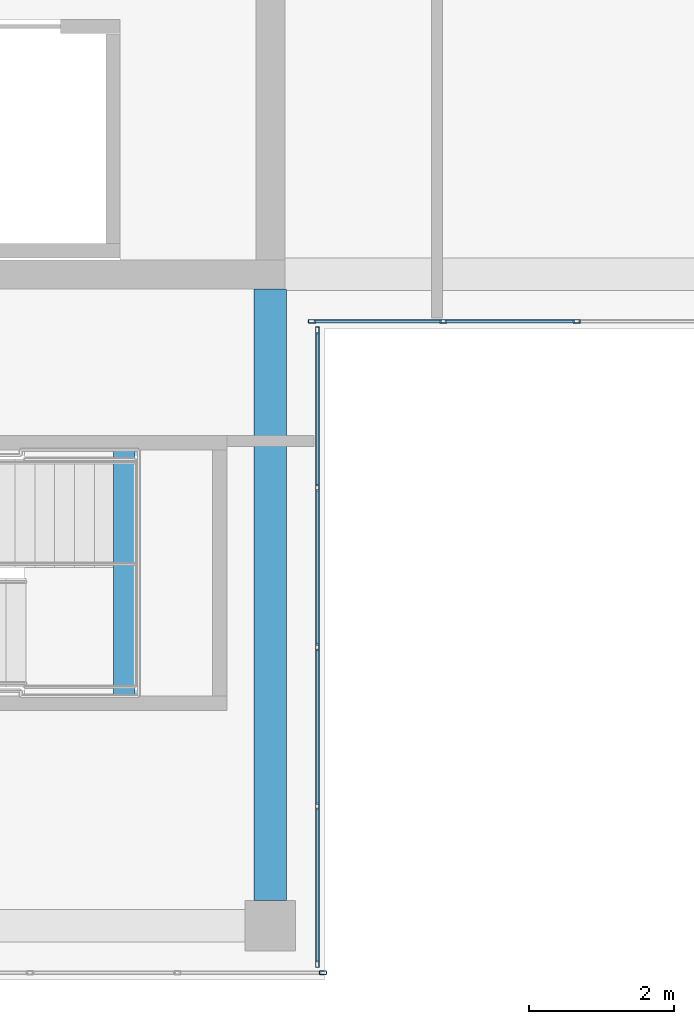
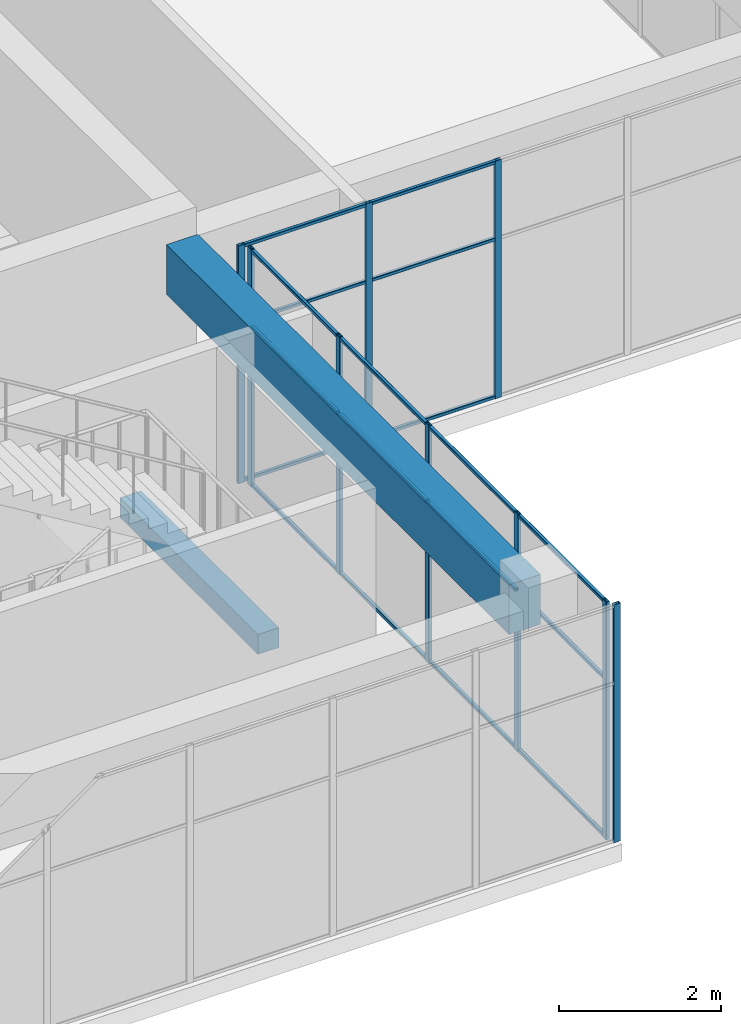
# One storey, part 12 of 32: 27 members, 2 beams, 3 elements without a shape of their own.
"""IFC4 building model written with IfcOpenShell, lengths in metres."""

from ifc_helpers import new_model, si_unit, direction, frame, origin, origin_2d, place, context, subcontext, project, spatial, rectangle, hollow_rectangle, extrude, material, layer, layer_set, material_profile, profile_set, type_object, element, aggregate, save


model = new_model("IFC4")

# Units and contexts
model_context = context("Model", 3, precision=1e-05, world=origin(), true_north=direction((0.0, 1.0)))
body_context = subcontext(model_context, "Body", "Model", "MODEL_VIEW")
ifc_project = project(units=[si_unit("LENGTHUNIT", "METRE"), si_unit("AREAUNIT", "SQUARE_METRE"), si_unit("VOLUMEUNIT", "CUBIC_METRE"), si_unit("PLANEANGLEUNIT", "RADIAN"), si_unit("MASSUNIT", "GRAM", prefix="KILO")], contexts=[model_context])

# Site, building, storey
site_placement = place(None, origin())
site = spatial("IfcSite", under=ifc_project, at=site_placement, CompositionType="ELEMENT")
building_placement = place(site_placement, origin())
building = spatial("IfcBuilding", under=site, at=building_placement, Name="Tuart Plaza Theatre", CompositionType="ELEMENT")
storey_placement = place(building_placement, frame((0.0, 0.0, 37.5)))
storey = spatial("IfcBuildingStorey", under=building, at=storey_placement, Name="L09", CompositionType="ELEMENT", Elevation=37.5)

# Beams
ifc_material_1 = material(Name="Concrete N40 (40 MPa)", Category="concrete")
ifc_material_profile_1 = material_profile(ifc_material_1, rectangle(XDim=0.300048828125, YDim=0.300048828125, at=origin_2d()), Name="BEAM 300x300 Concrete N40 (40 MPa)")
ifc_profile_set_1 = profile_set([ifc_material_profile_1], Name="Concrete N40 (40 MPa)")
beam_type_1 = type_object("IfcBeamType", Name="BEAM 300x300 Concrete N40 (40 MPa)", PredefinedType="BEAM", material=ifc_profile_set_1)
beam_1_placement = place(storey_placement, frame((138.97998046875, 59.175048828125, 1.64990234375), z_axis=(0.0, 1.0, 0.0), x_axis=(-1.0, 0.0, 0.0)))
element("IfcBeam", 1, at=beam_1_placement, inside=storey, type_object=beam_type_1, Name="RB505", PredefinedType="BEAM", context=body_context, shape_type="SweptSolid", body=[
    extrude(rectangle(XDim=0.300048828125, YDim=0.300048828125, at=origin_2d()), origin(), (0.0, 0.0, 1.0), 3.39990234375),
])
ifc_material_2 = material(Name="Concrete N40 (40 MPa)", Category="concrete")
ifc_material_profile_2 = material_profile(ifc_material_2, rectangle(XDim=0.449951171875, YDim=0.75, at=origin_2d()), Name="BEAM 450x750 Concrete N40 (40 MPa)")
ifc_profile_set_2 = profile_set([ifc_material_profile_2], Name="Concrete N40 (40 MPa)")
beam_type_2 = type_object("IfcBeamType", Name="BEAM 450x750 Concrete N40 (40 MPa)", PredefinedType="BEAM", material=ifc_profile_set_2)
beam_2_placement = place(storey_placement, frame((141.0, 56.35009765625, 3.205078125), z_axis=(0.0, 1.0, 0.0), x_axis=(-1.0, 0.0, 0.0)))
element("IfcBeam", 2, at=beam_2_placement, inside=storey, type_object=beam_type_2, Name="RB272", PredefinedType="BEAM", context=body_context, shape_type="SweptSolid", body=[
    extrude(rectangle(XDim=0.449951171875, YDim=0.75, at=origin_2d()), origin(), (0.0, 0.0, 1.0), 8.449951171875),
])

# Curtain wall, member
ifc_material_3 = material(Name="Aluminium and glass", Category="aluminium")
ifc_layer = layer(ifc_material_3, 0.10009765625)
ifc_layer_set = layer_set([ifc_layer], Name="CURTAIN WALL 2000 module")
curtain_wall_type = type_object("IfcCurtainWallType", Name="CURTAIN WALL 2000 module", PredefinedType="NOTDEFINED", material=ifc_layer_set)
curtain_wall_1_placement = place(storey_placement, origin())
curtain_wall_1 = element("IfcCurtainWall", 3, at=curtain_wall_1_placement, inside=storey, type_object=curtain_wall_type, Name="CW88", PredefinedType="NOTDEFINED")
ifc_material_4 = material(Name="Aluminium 6063-T5", Category="aluminium")
ifc_material_profile_3 = material_profile(ifc_material_4, hollow_rectangle(XDim=0.050048828125, YDim=0.10009765625, WallThickness=0.00390625, InnerFilletRadius=0.00390625, OuterFilletRadius=0.008056640625, at=origin_2d()), Name="RHS 100x50x4")
ifc_profile_set_3 = profile_set([ifc_material_profile_3], Name="Aluminium 6063-T5")
member_type_1 = type_object("IfcMemberType", Name="MULLION RHS 100x50x4", PredefinedType="MULLION", material=ifc_profile_set_3)
member_1_placement = place(storey_placement, frame((141.72509765625, 55.35009765625, 0.0), z_axis=(0.0, 0.0, 1.0), x_axis=(0.0, 1.0, 0.0)))
member_1 = element("IfcMember", 4, at=member_1_placement, type_object=member_type_1, Name="CW88 mullion 15", PredefinedType="MULLION", context=body_context, shape_type="SweptSolid", body=[
    extrude(hollow_rectangle(XDim=0.050048828125, YDim=0.10009765625, WallThickness=0.00390625, InnerFilletRadius=0.00390625, OuterFilletRadius=0.008056640625, at=origin_2d()), origin(), (0.0, 0.0, 1.0), 3.580078125),
])
aggregate(curtain_wall_1, [member_1])

# Curtain wall, members
curtain_wall_2_placement = place(storey_placement, origin())
curtain_wall_2 = element("IfcCurtainWall", 5, at=curtain_wall_2_placement, inside=storey, type_object=curtain_wall_type, Name="CW90", PredefinedType="NOTDEFINED")
member_2_placement = place(storey_placement, frame((141.64990234375, 55.47509765625, 0.0), z_axis=(0.0, 0.0, 1.0), x_axis=(-1.0, 0.0, 0.0)))
member_2 = element("IfcMember", 6, at=member_2_placement, type_object=member_type_1, Name="CW90 mullion 1", PredefinedType="MULLION", context=body_context, shape_type="SweptSolid", body=[
    extrude(hollow_rectangle(XDim=0.050048828125, YDim=0.10009765625, WallThickness=0.00390625, InnerFilletRadius=0.00390625, OuterFilletRadius=0.008056640625, at=origin_2d()), origin(), (0.0, 0.0, 1.0), 3.580078125),
])
member_3_placement = place(storey_placement, frame((141.64990234375, 57.64990234375, 0.0), z_axis=(0.0, 0.0, 1.0), x_axis=(-1.0, 0.0, 0.0)))
member_3 = element("IfcMember", 7, at=member_3_placement, type_object=member_type_1, Name="CW90 mullion 2", PredefinedType="MULLION", context=body_context, shape_type="SweptSolid", body=[
    extrude(hollow_rectangle(XDim=0.050048828125, YDim=0.10009765625, WallThickness=0.00390625, InnerFilletRadius=0.00390625, OuterFilletRadius=0.008056640625, at=origin_2d()), origin(), (0.0, 0.0, 1.0), 3.580078125),
])
member_4_placement = place(storey_placement, frame((141.64990234375, 59.85009765625, 0.0), z_axis=(0.0, 0.0, 1.0), x_axis=(-1.0, 0.0, 0.0)))
member_4 = element("IfcMember", 8, at=member_4_placement, type_object=member_type_1, Name="CW90 mullion 3", PredefinedType="MULLION", context=body_context, shape_type="SweptSolid", body=[
    extrude(hollow_rectangle(XDim=0.050048828125, YDim=0.10009765625, WallThickness=0.00390625, InnerFilletRadius=0.00390625, OuterFilletRadius=0.008056640625, at=origin_2d()), origin(), (0.0, 0.0, 1.0), 3.580078125),
])
member_5_placement = place(storey_placement, frame((141.64990234375, 62.050048828125, 0.0), z_axis=(0.0, 0.0, 1.0), x_axis=(-1.0, 0.0, 0.0)))
member_5 = element("IfcMember", 9, at=member_5_placement, type_object=member_type_1, Name="CW90 mullion 4", PredefinedType="MULLION", context=body_context, shape_type="SweptSolid", body=[
    extrude(hollow_rectangle(XDim=0.050048828125, YDim=0.10009765625, WallThickness=0.00390625, InnerFilletRadius=0.00390625, OuterFilletRadius=0.008056640625, at=origin_2d()), origin(), (0.0, 0.0, 1.0), 3.580078125),
])
member_6_placement = place(storey_placement, frame((141.64990234375, 64.22509765625, 0.0), z_axis=(0.0, 0.0, 1.0), x_axis=(-1.0, 0.0, 0.0)))
member_6 = element("IfcMember", 10, at=member_6_placement, type_object=member_type_1, Name="CW90 mullion 5", PredefinedType="MULLION", context=body_context, shape_type="SweptSolid", body=[
    extrude(hollow_rectangle(XDim=0.050048828125, YDim=0.10009765625, WallThickness=0.00390625, InnerFilletRadius=0.00390625, OuterFilletRadius=0.008056640625, at=origin_2d()), origin(), (0.0, 0.0, 1.0), 3.580078125),
])

curtain_wall_3_placement = place(storey_placement, origin())
curtain_wall_3 = element("IfcCurtainWall", 11, at=curtain_wall_3_placement, inside=storey, type_object=curtain_wall_type, Name="CW91", PredefinedType="NOTDEFINED")
member_7_placement = place(storey_placement, frame((141.574951171875, 64.35009765625, 0.0), z_axis=(0.0, 0.0, 1.0), x_axis=(0.0, 1.0, 0.0)))
member_7 = element("IfcMember", 12, at=member_7_placement, type_object=member_type_1, Name="CW91 mullion 1", PredefinedType="MULLION", context=body_context, shape_type="SweptSolid", body=[
    extrude(hollow_rectangle(XDim=0.050048828125, YDim=0.10009765625, WallThickness=0.00390625, InnerFilletRadius=0.00390625, OuterFilletRadius=0.008056640625, at=origin_2d()), origin(), (0.0, 0.0, 1.0), 3.580078125),
])
member_8_placement = place(storey_placement, frame((143.389892578125, 64.35009765625, 0.0), z_axis=(0.0, 0.0, 1.0), x_axis=(0.0, 1.0, 0.0)))
member_8 = element("IfcMember", 13, at=member_8_placement, type_object=member_type_1, Name="CW91 mullion 2", PredefinedType="MULLION", context=body_context, shape_type="SweptSolid", body=[
    extrude(hollow_rectangle(XDim=0.050048828125, YDim=0.10009765625, WallThickness=0.00390625, InnerFilletRadius=0.00390625, OuterFilletRadius=0.008056640625, at=origin_2d()), origin(), (0.0, 0.0, 1.0), 3.580078125),
])
member_9_placement = place(storey_placement, frame((145.22998046875, 64.35009765625, 0.0), z_axis=(0.0, 0.0, 1.0), x_axis=(0.0, 1.0, 0.0)))
member_9 = element("IfcMember", 14, at=member_9_placement, type_object=member_type_1, Name="CW91 mullion 3", PredefinedType="MULLION", context=body_context, shape_type="SweptSolid", body=[
    extrude(hollow_rectangle(XDim=0.050048828125, YDim=0.10009765625, WallThickness=0.00390625, InnerFilletRadius=0.00390625, OuterFilletRadius=0.008056640625, at=origin_2d()), origin(), (0.0, 0.0, 1.0), 3.580078125),
])

# Member
ifc_material_5 = material(Name="Aluminium 6063-T5", Category="aluminium")
ifc_material_profile_4 = material_profile(ifc_material_5, hollow_rectangle(XDim=0.050048828125, YDim=0.050048828125, WallThickness=0.00390625, InnerFilletRadius=0.00390625, OuterFilletRadius=0.008056640625, at=origin_2d()), Name="RHS 50x50x4")
ifc_profile_set_4 = profile_set([ifc_material_profile_4], Name="Aluminium 6063-T5")
member_type_2 = type_object("IfcMemberType", Name="TRANSOM RHS 50x50x4", PredefinedType="USERDEFINED", material=ifc_profile_set_4)
member_10_placement = place(storey_placement, frame((141.64990234375, 55.5, 0.02490234375), z_axis=(0.0, 1.0, 0.0), x_axis=(-1.0, 0.0, 0.0)))
member_10 = element("IfcMember", 15, at=member_10_placement, type_object=member_type_2, Name="CW90 transom 1.1", ObjectType="TRANSOM", PredefinedType="USERDEFINED", context=body_context, shape_type="SweptSolid", body=[
    extrude(hollow_rectangle(XDim=0.050048828125, YDim=0.050048828125, WallThickness=0.00390625, InnerFilletRadius=0.00390625, OuterFilletRadius=0.008056640625, at=origin_2d()), origin(), (0.0, 0.0, 1.0), 2.125),
])

member_11_placement = place(storey_placement, frame((141.64990234375, 55.5, 2.39990234375), z_axis=(0.0, 1.0, 0.0), x_axis=(-1.0, 0.0, 0.0)))
member_11 = element("IfcMember", 16, at=member_11_placement, type_object=member_type_2, Name="CW90 transom 1.2", ObjectType="TRANSOM", PredefinedType="USERDEFINED", context=body_context, shape_type="SweptSolid", body=[
    extrude(hollow_rectangle(XDim=0.050048828125, YDim=0.050048828125, WallThickness=0.00390625, InnerFilletRadius=0.00390625, OuterFilletRadius=0.008056640625, at=origin_2d()), origin(), (0.0, 0.0, 1.0), 2.125),
])

member_12_placement = place(storey_placement, frame((141.64990234375, 55.5, 3.554931640625), z_axis=(0.0, 1.0, 0.0), x_axis=(-1.0, 0.0, 0.0)))
member_12 = element("IfcMember", 17, at=member_12_placement, type_object=member_type_2, Name="CW90 transom 1.3", ObjectType="TRANSOM", PredefinedType="USERDEFINED", context=body_context, shape_type="SweptSolid", body=[
    extrude(hollow_rectangle(XDim=0.050048828125, YDim=0.050048828125, WallThickness=0.00390625, InnerFilletRadius=0.00390625, OuterFilletRadius=0.008056640625, at=origin_2d()), origin(), (0.0, 0.0, 1.0), 2.125),
])

member_13_placement = place(storey_placement, frame((141.64990234375, 57.675048828125, 0.02490234375), z_axis=(0.0, 1.0, 0.0), x_axis=(-1.0, 0.0, 0.0)))
member_13 = element("IfcMember", 18, at=member_13_placement, type_object=member_type_2, Name="CW90 transom 2.1", ObjectType="TRANSOM", PredefinedType="USERDEFINED", context=body_context, shape_type="SweptSolid", body=[
    extrude(hollow_rectangle(XDim=0.050048828125, YDim=0.050048828125, WallThickness=0.00390625, InnerFilletRadius=0.00390625, OuterFilletRadius=0.008056640625, at=origin_2d()), origin(), (0.0, 0.0, 1.0), 2.14990234375),
])

member_14_placement = place(storey_placement, frame((141.64990234375, 57.675048828125, 2.39990234375), z_axis=(0.0, 1.0, 0.0), x_axis=(-1.0, 0.0, 0.0)))
member_14 = element("IfcMember", 19, at=member_14_placement, type_object=member_type_2, Name="CW90 transom 2.2", ObjectType="TRANSOM", PredefinedType="USERDEFINED", context=body_context, shape_type="SweptSolid", body=[
    extrude(hollow_rectangle(XDim=0.050048828125, YDim=0.050048828125, WallThickness=0.00390625, InnerFilletRadius=0.00390625, OuterFilletRadius=0.008056640625, at=origin_2d()), origin(), (0.0, 0.0, 1.0), 2.14990234375),
])

member_15_placement = place(storey_placement, frame((141.64990234375, 57.675048828125, 3.554931640625), z_axis=(0.0, 1.0, 0.0), x_axis=(-1.0, 0.0, 0.0)))
member_15 = element("IfcMember", 20, at=member_15_placement, type_object=member_type_2, Name="CW90 transom 2.3", ObjectType="TRANSOM", PredefinedType="USERDEFINED", context=body_context, shape_type="SweptSolid", body=[
    extrude(hollow_rectangle(XDim=0.050048828125, YDim=0.050048828125, WallThickness=0.00390625, InnerFilletRadius=0.00390625, OuterFilletRadius=0.008056640625, at=origin_2d()), origin(), (0.0, 0.0, 1.0), 2.14990234375),
])

member_16_placement = place(storey_placement, frame((141.64990234375, 59.875, 0.02490234375), z_axis=(0.0, 1.0, 0.0), x_axis=(-1.0, 0.0, 0.0)))
member_16 = element("IfcMember", 21, at=member_16_placement, type_object=member_type_2, Name="CW90 transom 3.1", ObjectType="TRANSOM", PredefinedType="USERDEFINED", context=body_context, shape_type="SweptSolid", body=[
    extrude(hollow_rectangle(XDim=0.050048828125, YDim=0.050048828125, WallThickness=0.00390625, InnerFilletRadius=0.00390625, OuterFilletRadius=0.008056640625, at=origin_2d()), origin(), (0.0, 0.0, 1.0), 2.14990234375),
])

member_17_placement = place(storey_placement, frame((141.64990234375, 59.875, 2.39990234375), z_axis=(0.0, 1.0, 0.0), x_axis=(-1.0, 0.0, 0.0)))
member_17 = element("IfcMember", 22, at=member_17_placement, type_object=member_type_2, Name="CW90 transom 3.2", ObjectType="TRANSOM", PredefinedType="USERDEFINED", context=body_context, shape_type="SweptSolid", body=[
    extrude(hollow_rectangle(XDim=0.050048828125, YDim=0.050048828125, WallThickness=0.00390625, InnerFilletRadius=0.00390625, OuterFilletRadius=0.008056640625, at=origin_2d()), origin(), (0.0, 0.0, 1.0), 2.14990234375),
])

member_18_placement = place(storey_placement, frame((141.64990234375, 59.875, 3.554931640625), z_axis=(0.0, 1.0, 0.0), x_axis=(-1.0, 0.0, 0.0)))
member_18 = element("IfcMember", 23, at=member_18_placement, type_object=member_type_2, Name="CW90 transom 3.3", ObjectType="TRANSOM", PredefinedType="USERDEFINED", context=body_context, shape_type="SweptSolid", body=[
    extrude(hollow_rectangle(XDim=0.050048828125, YDim=0.050048828125, WallThickness=0.00390625, InnerFilletRadius=0.00390625, OuterFilletRadius=0.008056640625, at=origin_2d()), origin(), (0.0, 0.0, 1.0), 2.14990234375),
])

member_19_placement = place(storey_placement, frame((141.64990234375, 62.074951171875, 0.02490234375), z_axis=(0.0, 1.0, 0.0), x_axis=(-1.0, 0.0, 0.0)))
member_19 = element("IfcMember", 24, at=member_19_placement, type_object=member_type_2, Name="CW90 transom 4.1", ObjectType="TRANSOM", PredefinedType="USERDEFINED", context=body_context, shape_type="SweptSolid", body=[
    extrude(hollow_rectangle(XDim=0.050048828125, YDim=0.050048828125, WallThickness=0.00390625, InnerFilletRadius=0.00390625, OuterFilletRadius=0.008056640625, at=origin_2d()), origin(), (0.0, 0.0, 1.0), 2.125),
])

member_20_placement = place(storey_placement, frame((141.64990234375, 62.074951171875, 2.39990234375), z_axis=(0.0, 1.0, 0.0), x_axis=(-1.0, 0.0, 0.0)))
member_20 = element("IfcMember", 25, at=member_20_placement, type_object=member_type_2, Name="CW90 transom 4.2", ObjectType="TRANSOM", PredefinedType="USERDEFINED", context=body_context, shape_type="SweptSolid", body=[
    extrude(hollow_rectangle(XDim=0.050048828125, YDim=0.050048828125, WallThickness=0.00390625, InnerFilletRadius=0.00390625, OuterFilletRadius=0.008056640625, at=origin_2d()), origin(), (0.0, 0.0, 1.0), 2.125),
])

member_21_placement = place(storey_placement, frame((141.64990234375, 62.074951171875, 3.554931640625), z_axis=(0.0, 1.0, 0.0), x_axis=(-1.0, 0.0, 0.0)))
member_21 = element("IfcMember", 26, at=member_21_placement, type_object=member_type_2, Name="CW90 transom 4.3", ObjectType="TRANSOM", PredefinedType="USERDEFINED", context=body_context, shape_type="SweptSolid", body=[
    extrude(hollow_rectangle(XDim=0.050048828125, YDim=0.050048828125, WallThickness=0.00390625, InnerFilletRadius=0.00390625, OuterFilletRadius=0.008056640625, at=origin_2d()), origin(), (0.0, 0.0, 1.0), 2.125),
])

aggregate(curtain_wall_2, [member_2, member_3, member_4, member_5, member_6, member_10, member_11, member_12, member_13, member_14, member_15, member_16, member_17, member_18, member_19, member_20, member_21])

member_22_placement = place(storey_placement, frame((141.60009765625, 64.35009765625, 0.02490234375), z_axis=(1.0, 0.0, 0.0), x_axis=(0.0, 1.0, 0.0)))
member_22 = element("IfcMember", 27, at=member_22_placement, type_object=member_type_2, Name="CW91 transom 1.1", ObjectType="TRANSOM", PredefinedType="USERDEFINED", context=body_context, shape_type="SweptSolid", body=[
    extrude(hollow_rectangle(XDim=0.050048828125, YDim=0.050048828125, WallThickness=0.00390625, InnerFilletRadius=0.00390625, OuterFilletRadius=0.008056640625, at=origin_2d()), origin(), (0.0, 0.0, 1.0), 1.764892578125),
])

member_23_placement = place(storey_placement, frame((141.60009765625, 64.35009765625, 2.39990234375), z_axis=(1.0, 0.0, 0.0), x_axis=(0.0, 1.0, 0.0)))
member_23 = element("IfcMember", 28, at=member_23_placement, type_object=member_type_2, Name="CW91 transom 1.2", ObjectType="TRANSOM", PredefinedType="USERDEFINED", context=body_context, shape_type="SweptSolid", body=[
    extrude(hollow_rectangle(XDim=0.050048828125, YDim=0.050048828125, WallThickness=0.00390625, InnerFilletRadius=0.00390625, OuterFilletRadius=0.008056640625, at=origin_2d()), origin(), (0.0, 0.0, 1.0), 1.764892578125),
])

member_24_placement = place(storey_placement, frame((141.60009765625, 64.35009765625, 3.554931640625), z_axis=(1.0, 0.0, 0.0), x_axis=(0.0, 1.0, 0.0)))
member_24 = element("IfcMember", 29, at=member_24_placement, type_object=member_type_2, Name="CW91 transom 1.3", ObjectType="TRANSOM", PredefinedType="USERDEFINED", context=body_context, shape_type="SweptSolid", body=[
    extrude(hollow_rectangle(XDim=0.050048828125, YDim=0.050048828125, WallThickness=0.00390625, InnerFilletRadius=0.00390625, OuterFilletRadius=0.008056640625, at=origin_2d()), origin(), (0.0, 0.0, 1.0), 1.764892578125),
])

member_25_placement = place(storey_placement, frame((143.4150390625, 64.35009765625, 0.02490234375), z_axis=(1.0, 0.0, 0.0), x_axis=(0.0, 1.0, 0.0)))
member_25 = element("IfcMember", 30, at=member_25_placement, type_object=member_type_2, Name="CW91 transom 2.1", ObjectType="TRANSOM", PredefinedType="USERDEFINED", context=body_context, shape_type="SweptSolid", body=[
    extrude(hollow_rectangle(XDim=0.050048828125, YDim=0.050048828125, WallThickness=0.00390625, InnerFilletRadius=0.00390625, OuterFilletRadius=0.008056640625, at=origin_2d()), origin(), (0.0, 0.0, 1.0), 1.7900390625),
])

member_26_placement = place(storey_placement, frame((143.4150390625, 64.35009765625, 2.39990234375), z_axis=(1.0, 0.0, 0.0), x_axis=(0.0, 1.0, 0.0)))
member_26 = element("IfcMember", 31, at=member_26_placement, type_object=member_type_2, Name="CW91 transom 2.2", ObjectType="TRANSOM", PredefinedType="USERDEFINED", context=body_context, shape_type="SweptSolid", body=[
    extrude(hollow_rectangle(XDim=0.050048828125, YDim=0.050048828125, WallThickness=0.00390625, InnerFilletRadius=0.00390625, OuterFilletRadius=0.008056640625, at=origin_2d()), origin(), (0.0, 0.0, 1.0), 1.7900390625),
])

member_27_placement = place(storey_placement, frame((143.4150390625, 64.35009765625, 3.554931640625), z_axis=(1.0, 0.0, 0.0), x_axis=(0.0, 1.0, 0.0)))
member_27 = element("IfcMember", 32, at=member_27_placement, type_object=member_type_2, Name="CW91 transom 2.3", ObjectType="TRANSOM", PredefinedType="USERDEFINED", context=body_context, shape_type="SweptSolid", body=[
    extrude(hollow_rectangle(XDim=0.050048828125, YDim=0.050048828125, WallThickness=0.00390625, InnerFilletRadius=0.00390625, OuterFilletRadius=0.008056640625, at=origin_2d()), origin(), (0.0, 0.0, 1.0), 1.7900390625),
])

aggregate(curtain_wall_3, [member_7, member_8, member_9, member_22, member_23, member_24, member_25, member_26, member_27])

save(model, "model.ifc")
